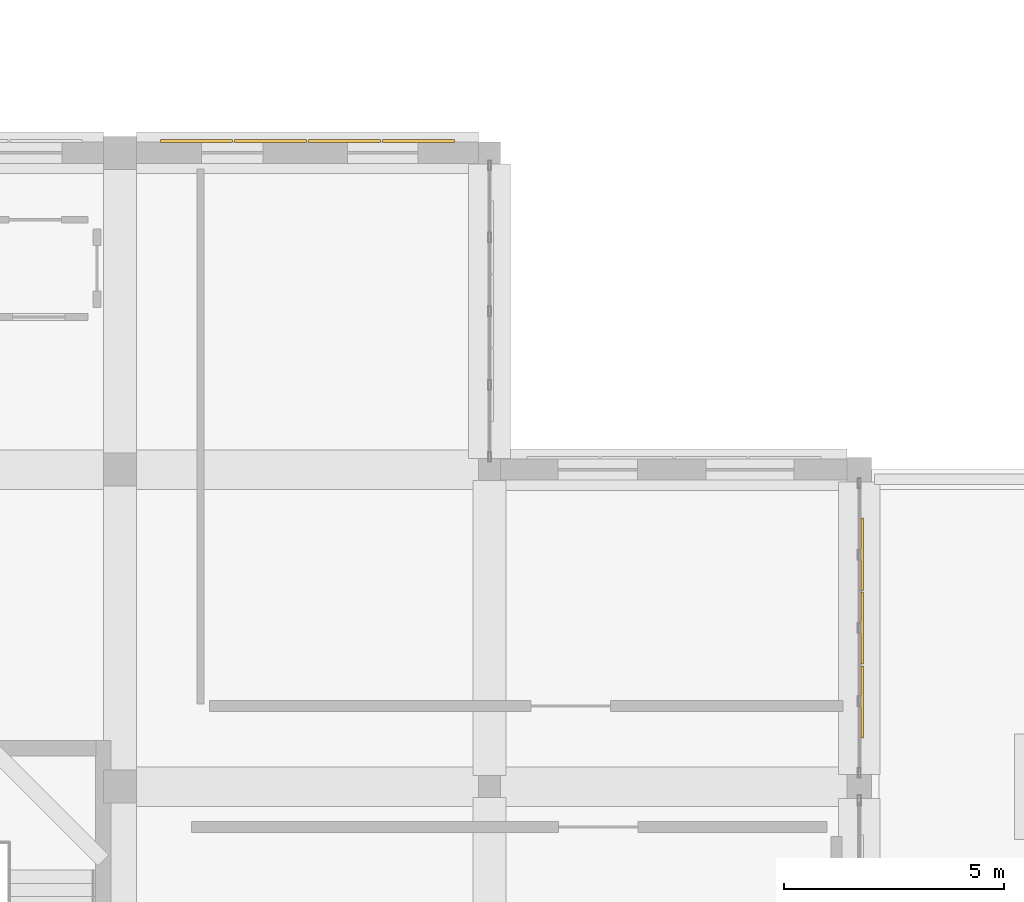
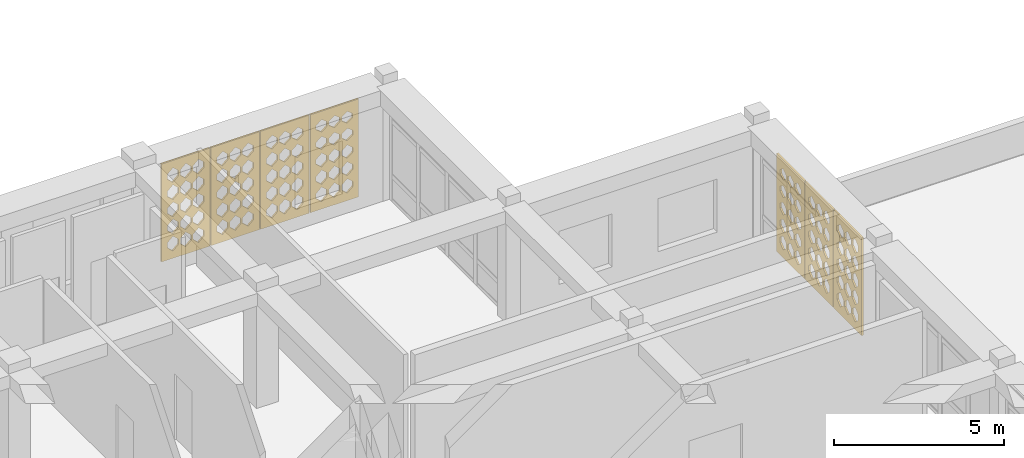
# One storey, part 109 of 111: 7 coverings.
"""IFC4 building model written with IfcOpenShell, lengths in metres."""

from ifc_helpers import new_model, si_unit, derived_unit, direction, frame, origin, place, context, subcontext, project, spatial, polyline, outline, extrude, material, layer, layer_set, type_object, element, save


model = new_model("IFC4")

# Units and contexts
model_context = context("Model", 3, precision=1e-05, world=origin(), true_north=direction((0.0, 1.0)))
body_context = subcontext(model_context, "Body", "Model", "MODEL_VIEW")
ifc_project = project(units=[si_unit("LENGTHUNIT", "METRE"), si_unit("AREAUNIT", "SQUARE_METRE"), si_unit("VOLUMEUNIT", "CUBIC_METRE"), si_unit("PLANEANGLEUNIT", "RADIAN"), si_unit("MASSUNIT", "GRAM", prefix="KILO"), derived_unit("THERMALTRANSMITTANCEUNIT", [(si_unit("POWERUNIT", "WATT"), 1), (si_unit("LENGTHUNIT", "METRE"), -2), (si_unit("THERMODYNAMICTEMPERATUREUNIT", "KELVIN"), -1)])], contexts=[model_context])

# Site, building, storey
site_placement = place(None, origin())
site = spatial("IfcSite", under=ifc_project, at=site_placement, CompositionType="ELEMENT")
building_placement = place(site_placement, origin())
building = spatial("IfcBuilding", under=site, at=building_placement, Name="Veybourne Emporium", CompositionType="ELEMENT")
storey_placement = place(building_placement, frame((0.0, 0.0, 9.89990234375)))
storey = spatial("IfcBuildingStorey", under=building, at=storey_placement, Name="L02", CompositionType="ELEMENT", Elevation=9.89990234375)

# Coverings
ifc_material = material(Name="Warm-White Perforated Aluminium Screen Alloy", Category="aluminium")
ifc_layer_1 = layer(ifc_material, 0.06005859375)
ifc_layer_set_1 = layer_set([ifc_layer_1], Name="Warm-White Perforated Aluminium Screen Alloy")
covering_type_1 = type_object("IfcCoveringType", Name="WaveScreen_SCR-01", PredefinedType="CLADDING", material=ifc_layer_set_1)
covering_1_placement = place(storey_placement, frame((139.50244140625, 29.09814453125, 1.815185546875), z_axis=(0.0, -1.0, 0.0), x_axis=(1.0, 0.0, 0.0)))
element("IfcCovering", 1, at=covering_1_placement, inside=storey, type_object=covering_type_1, Name="L02 wave-perforated aluminium screen SCR-01 (71.3)", PredefinedType="CLADDING", context=body_context, shape_type="SweptSolid", body=[
    extrude(outline(polyline([(-0.81982421875, -1.7548828125), (0.81982421875, -1.7548828125), (0.81982421875, 1.7548828125), (-0.81982421875, 1.7548828125), (-0.81982421875, -1.7548828125)]), holes=[polyline([(-0.433349609375, -0.964111328125), (-0.2470703125, -1.133056640625), (-0.2470703125, -1.322998046875), (-0.433349609375, -1.491943359375), (-0.61962890625, -1.322998046875), (-0.61962890625, -1.133056640625), (-0.433349609375, -0.964111328125)]), polyline([(-0.433349609375, -0.35009765625), (-0.2470703125, -0.51904296875), (-0.2470703125, -0.708984375), (-0.433349609375, -0.8779296875), (-0.61962890625, -0.708984375), (-0.61962890625, -0.51904296875), (-0.433349609375, -0.35009765625)]), polyline([(-0.433349609375, 0.262451171875), (-0.2470703125, 0.094482421875), (-0.2470703125, -0.094482421875), (-0.433349609375, -0.262451171875), (-0.61962890625, -0.094482421875), (-0.61962890625, 0.094482421875), (-0.433349609375, 0.262451171875)]), polyline([(-0.433349609375, 0.867919921875), (-0.2470703125, 0.705322265625), (-0.2470703125, 0.522705078125), (-0.433349609375, 0.360107421875), (-0.61962890625, 0.522705078125), (-0.61962890625, 0.705322265625), (-0.433349609375, 0.867919921875)]), polyline([(-0.433349609375, 1.4716796875), (-0.2470703125, 1.315673828125), (-0.2470703125, 1.140380859375), (-0.433349609375, 0.984375), (-0.61962890625, 1.140380859375), (-0.61962890625, 1.315673828125), (-0.433349609375, 1.4716796875)]), polyline([(0.0, -0.964111328125), (0.186279296875, -1.133056640625), (0.186279296875, -1.322998046875), (0.0, -1.491943359375), (-0.186279296875, -1.322998046875), (-0.186279296875, -1.133056640625), (0.0, -0.964111328125)]), polyline([(0.0, -0.35009765625), (0.186279296875, -0.51904296875), (0.186279296875, -0.708984375), (0.0, -0.8779296875), (-0.186279296875, -0.708984375), (-0.186279296875, -0.51904296875), (0.0, -0.35009765625)]), polyline([(0.0, 0.2587890625), (0.186279296875, 0.09326171875), (0.186279296875, -0.09326171875), (0.0, -0.2587890625), (-0.186279296875, -0.09326171875), (-0.186279296875, 0.09326171875), (0.0, 0.2587890625)]), polyline([(0.0, 0.863525390625), (0.186279296875, 0.703857421875), (0.186279296875, 0.524169921875), (0.0, 0.364501953125), (-0.186279296875, 0.524169921875), (-0.186279296875, 0.703857421875), (0.0, 0.863525390625)]), polyline([(0.0, 1.466552734375), (0.186279296875, 1.313720703125), (0.186279296875, 1.14208984375), (0.0, 0.989501953125), (-0.186279296875, 1.14208984375), (-0.186279296875, 1.313720703125), (0.0, 1.466552734375)]), polyline([(0.433349609375, -0.964111328125), (0.61962890625, -1.133056640625), (0.61962890625, -1.322998046875), (0.433349609375, -1.491943359375), (0.2470703125, -1.322998046875), (0.2470703125, -1.133056640625), (0.433349609375, -0.964111328125)]), polyline([(0.433349609375, -0.350830078125), (0.61962890625, -0.519287109375), (0.61962890625, -0.708740234375), (0.433349609375, -0.877197265625), (0.2470703125, -0.708740234375), (0.2470703125, -0.519287109375), (0.433349609375, -0.350830078125)]), polyline([(0.433349609375, 0.2548828125), (0.61962890625, 0.091796875), (0.61962890625, -0.091796875), (0.433349609375, -0.2548828125), (0.2470703125, -0.091796875), (0.2470703125, 0.091796875), (0.433349609375, 0.2548828125)]), polyline([(0.433349609375, 0.858642578125), (0.61962890625, 0.7021484375), (0.61962890625, 0.52587890625), (0.433349609375, 0.369384765625), (0.2470703125, 0.52587890625), (0.2470703125, 0.7021484375), (0.433349609375, 0.858642578125)]), polyline([(0.433349609375, 1.4609375), (0.61962890625, 1.31201171875), (0.61962890625, 1.14404296875), (0.433349609375, 0.9951171875), (0.2470703125, 1.14404296875), (0.2470703125, 1.31201171875), (0.433349609375, 1.4609375)])]), origin(), (0.0, 0.0, 1.0), 0.06005859375),
])
covering_2_placement = place(storey_placement, frame((151.29296875, 16.320068359375, 1.815185546875), z_axis=(-1.0, 0.0, 0.0), x_axis=(0.0, -1.0, 0.0)))
element("IfcCovering", 2, at=covering_2_placement, inside=storey, type_object=covering_type_1, Name="L02 wave-perforated aluminium screen SCR-01 (75C.3)", PredefinedType="CLADDING", context=body_context, shape_type="SweptSolid", body=[
    extrude(outline(polyline([(-0.81982421875, -1.7548828125), (0.81982421875, -1.7548828125), (0.81982421875, 1.7548828125), (-0.81982421875, 1.7548828125), (-0.81982421875, -1.7548828125)]), holes=[polyline([(-0.433349609375, -0.964111328125), (-0.2470703125, -1.133056640625), (-0.2470703125, -1.322998046875), (-0.433349609375, -1.491943359375), (-0.61962890625, -1.322998046875), (-0.61962890625, -1.133056640625), (-0.433349609375, -0.964111328125)]), polyline([(-0.433349609375, -0.35009765625), (-0.2470703125, -0.51904296875), (-0.2470703125, -0.708984375), (-0.433349609375, -0.8779296875), (-0.61962890625, -0.708984375), (-0.61962890625, -0.51904296875), (-0.433349609375, -0.35009765625)]), polyline([(-0.433349609375, 0.263427734375), (-0.2470703125, 0.0947265625), (-0.2470703125, -0.0947265625), (-0.433349609375, -0.263427734375), (-0.61962890625, -0.0947265625), (-0.61962890625, 0.0947265625), (-0.433349609375, 0.263427734375)]), polyline([(-0.433349609375, 0.869140625), (-0.2470703125, 0.705810546875), (-0.2470703125, 0.522216796875), (-0.433349609375, 0.35888671875), (-0.61962890625, 0.522216796875), (-0.61962890625, 0.705810546875), (-0.433349609375, 0.869140625)]), polyline([(-0.433349609375, 1.472900390625), (-0.2470703125, 1.316162109375), (-0.2470703125, 1.139892578125), (-0.433349609375, 0.98291015625), (-0.61962890625, 1.139892578125), (-0.61962890625, 1.316162109375), (-0.433349609375, 1.472900390625)]), polyline([(0.0, -0.964111328125), (0.186279296875, -1.133056640625), (0.186279296875, -1.322998046875), (0.0, -1.491943359375), (-0.186279296875, -1.322998046875), (-0.186279296875, -1.133056640625), (0.0, -0.964111328125)]), polyline([(0.0, -0.35009765625), (0.186279296875, -0.51904296875), (0.186279296875, -0.708984375), (0.0, -0.8779296875), (-0.186279296875, -0.708984375), (-0.186279296875, -0.51904296875), (0.0, -0.35009765625)]), polyline([(0.0, 0.263916015625), (0.186279296875, 0.094970703125), (0.186279296875, -0.094970703125), (0.0, -0.263916015625), (-0.186279296875, -0.094970703125), (-0.186279296875, 0.094970703125), (0.0, 0.263916015625)]), polyline([(0.0, 0.873046875), (0.186279296875, 0.707275390625), (0.186279296875, 0.520751953125), (0.0, 0.35498046875), (-0.186279296875, 0.520751953125), (-0.186279296875, 0.707275390625), (0.0, 0.873046875)]), polyline([(0.0, 1.477783203125), (0.186279296875, 1.31787109375), (0.186279296875, 1.13818359375), (0.0, 0.978271484375), (-0.186279296875, 1.13818359375), (-0.186279296875, 1.31787109375), (0.0, 1.477783203125)]), polyline([(0.433349609375, -0.964111328125), (0.61962890625, -1.133056640625), (0.61962890625, -1.322998046875), (0.433349609375, -1.491943359375), (0.2470703125, -1.322998046875), (0.2470703125, -1.133056640625), (0.433349609375, -0.964111328125)]), polyline([(0.433349609375, -0.35009765625), (0.61962890625, -0.51904296875), (0.61962890625, -0.708984375), (0.433349609375, -0.8779296875), (0.2470703125, -0.708984375), (0.2470703125, -0.51904296875), (0.433349609375, -0.35009765625)]), polyline([(0.433349609375, 0.263916015625), (0.61962890625, 0.094970703125), (0.61962890625, -0.094970703125), (0.433349609375, -0.263916015625), (0.2470703125, -0.094970703125), (0.2470703125, 0.094970703125), (0.433349609375, 0.263916015625)]), polyline([(0.433349609375, 0.876708984375), (0.61962890625, 0.70849609375), (0.61962890625, 0.519287109375), (0.433349609375, 0.351318359375), (0.2470703125, 0.519287109375), (0.2470703125, 0.70849609375), (0.433349609375, 0.876708984375)]), polyline([(0.433349609375, 1.482421875), (0.61962890625, 1.319580078125), (0.61962890625, 1.136474609375), (0.433349609375, 0.9736328125), (0.2470703125, 1.136474609375), (0.2470703125, 1.319580078125), (0.433349609375, 1.482421875)])]), origin(), (0.0, 0.0, 1.0), 0.06005859375),
])
ifc_layer_2 = layer(ifc_material, 0.06005859375)
ifc_layer_set_2 = layer_set([ifc_layer_2], Name="Warm-White Perforated Aluminium Screen Alloy")
covering_type_2 = type_object("IfcCoveringType", Name="WaveScreen_SCR-02", PredefinedType="CLADDING", material=ifc_layer_set_2)
covering_3_placement = place(storey_placement, frame((141.1826171875, 29.09814453125, 1.815185546875), z_axis=(0.0, -1.0, 0.0), x_axis=(1.0, 0.0, 0.0)))
element("IfcCovering", 3, at=covering_3_placement, inside=storey, type_object=covering_type_2, Name="L02 wave-perforated aluminium screen SCR-02 (71.4)", PredefinedType="CLADDING", context=body_context, shape_type="SweptSolid", body=[
    extrude(outline(polyline([(-0.81982421875, -1.7548828125), (0.81982421875, -1.7548828125), (0.81982421875, 1.7548828125), (-0.81982421875, 1.7548828125), (-0.81982421875, -1.7548828125)]), holes=[polyline([(-0.433349609375, -0.964111328125), (-0.2470703125, -1.133056640625), (-0.2470703125, -1.322998046875), (-0.433349609375, -1.491943359375), (-0.61962890625, -1.322998046875), (-0.61962890625, -1.133056640625), (-0.433349609375, -0.964111328125)]), polyline([(-0.433349609375, -0.35791015625), (-0.2470703125, -0.521728515625), (-0.2470703125, -0.706298828125), (-0.433349609375, -0.8701171875), (-0.61962890625, -0.706298828125), (-0.61962890625, -0.521728515625), (-0.433349609375, -0.35791015625)]), polyline([(-0.433349609375, 0.246337890625), (-0.2470703125, 0.088623046875), (-0.2470703125, -0.088623046875), (-0.433349609375, -0.246337890625), (-0.61962890625, -0.088623046875), (-0.61962890625, 0.088623046875), (-0.433349609375, 0.246337890625)]), polyline([(-0.433349609375, 0.848876953125), (-0.2470703125, 0.698486328125), (-0.2470703125, 0.529541015625), (-0.433349609375, 0.379150390625), (-0.61962890625, 0.529541015625), (-0.61962890625, 0.698486328125), (-0.433349609375, 0.848876953125)]), polyline([(-0.433349609375, 1.4501953125), (-0.2470703125, 1.307861328125), (-0.2470703125, 1.148193359375), (-0.433349609375, 1.005859375), (-0.61962890625, 1.148193359375), (-0.61962890625, 1.307861328125), (-0.433349609375, 1.4501953125)]), polyline([(0.0, -0.96728515625), (0.186279296875, -1.134033203125), (0.186279296875, -1.322021484375), (0.0, -1.48876953125), (-0.186279296875, -1.322021484375), (-0.186279296875, -1.134033203125), (0.0, -0.96728515625)]), polyline([(0.0, -0.362060546875), (0.186279296875, -0.523193359375), (0.186279296875, -0.70458984375), (0.0, -0.865966796875), (-0.186279296875, -0.70458984375), (-0.186279296875, -0.523193359375), (0.0, -0.362060546875)]), polyline([(0.0, 0.2412109375), (0.186279296875, 0.0869140625), (0.186279296875, -0.0869140625), (0.0, -0.2412109375), (-0.186279296875, -0.0869140625), (-0.186279296875, 0.0869140625), (0.0, 0.2412109375)]), polyline([(0.0, 0.843017578125), (0.186279296875, 0.696533203125), (0.186279296875, 0.531494140625), (0.0, 0.385009765625), (-0.186279296875, 0.531494140625), (-0.186279296875, 0.696533203125), (0.0, 0.843017578125)]), polyline([(0.0, 1.444091796875), (0.186279296875, 1.3056640625), (0.186279296875, 1.150390625), (0.0, 1.011962890625), (-0.186279296875, 1.150390625), (-0.186279296875, 1.3056640625), (0.0, 1.444091796875)]), polyline([(0.433349609375, -0.970947265625), (0.61962890625, -1.135498046875), (0.61962890625, -1.320556640625), (0.433349609375, -1.485107421875), (0.2470703125, -1.320556640625), (0.2470703125, -1.135498046875), (0.433349609375, -0.970947265625)]), polyline([(0.433349609375, -0.36669921875), (0.61962890625, -0.52490234375), (0.61962890625, -0.702880859375), (0.433349609375, -0.861328125), (0.2470703125, -0.702880859375), (0.2470703125, -0.52490234375), (0.433349609375, -0.36669921875)]), polyline([(0.433349609375, 0.23583984375), (0.61962890625, 0.0849609375), (0.61962890625, -0.0849609375), (0.433349609375, -0.23583984375), (0.2470703125, -0.0849609375), (0.2470703125, 0.0849609375), (0.433349609375, 0.23583984375)]), polyline([(0.433349609375, 0.83740234375), (0.61962890625, 0.6943359375), (0.61962890625, 0.53369140625), (0.433349609375, 0.390625), (0.2470703125, 0.53369140625), (0.2470703125, 0.6943359375), (0.433349609375, 0.83740234375)]), polyline([(0.433349609375, 1.437744140625), (0.614990234375, 1.303466796875), (0.614990234375, 1.152587890625), (0.433349609375, 1.018310546875), (0.251708984375, 1.152587890625), (0.251708984375, 1.303466796875), (0.433349609375, 1.437744140625)])]), origin(), (0.0, 0.0, 1.0), 0.06005859375),
])
ifc_layer_3 = layer(ifc_material, 0.06005859375)
ifc_layer_set_3 = layer_set([ifc_layer_3], Name="Warm-White Perforated Aluminium Screen Alloy")
covering_type_3 = type_object("IfcCoveringType", Name="WaveScreen_SCR-03", PredefinedType="CLADDING", material=ifc_layer_set_3)
covering_4_placement = place(storey_placement, frame((136.142578125, 29.09814453125, 1.815185546875), z_axis=(0.0, -1.0, 0.0), x_axis=(1.0, 0.0, 0.0)))
element("IfcCovering", 4, at=covering_4_placement, inside=storey, type_object=covering_type_3, Name="L02 wave-perforated aluminium screen SCR-03 (71.1)", PredefinedType="CLADDING", context=body_context, shape_type="SweptSolid", body=[
    extrude(outline(polyline([(-0.81982421875, -1.7548828125), (0.81982421875, -1.7548828125), (0.81982421875, 1.7548828125), (-0.81982421875, 1.7548828125), (-0.81982421875, -1.7548828125)]), holes=[polyline([(-0.433349609375, -0.964111328125), (-0.2470703125, -1.133056640625), (-0.2470703125, -1.322998046875), (-0.433349609375, -1.491943359375), (-0.61962890625, -1.322998046875), (-0.61962890625, -1.133056640625), (-0.433349609375, -0.964111328125)]), polyline([(-0.433349609375, -0.35009765625), (-0.2470703125, -0.51904296875), (-0.2470703125, -0.708984375), (-0.433349609375, -0.8779296875), (-0.61962890625, -0.708984375), (-0.61962890625, -0.51904296875), (-0.433349609375, -0.35009765625)]), polyline([(-0.433349609375, 0.263916015625), (-0.2470703125, 0.094970703125), (-0.2470703125, -0.094970703125), (-0.433349609375, -0.263916015625), (-0.61962890625, -0.094970703125), (-0.61962890625, 0.094970703125), (-0.433349609375, 0.263916015625)]), polyline([(-0.433349609375, 0.8779296875), (-0.2470703125, 0.708984375), (-0.2470703125, 0.51904296875), (-0.433349609375, 0.35009765625), (-0.61962890625, 0.51904296875), (-0.61962890625, 0.708984375), (-0.433349609375, 0.8779296875)]), polyline([(-0.433349609375, 1.491943359375), (-0.2470703125, 1.322998046875), (-0.2470703125, 1.133056640625), (-0.433349609375, 0.964111328125), (-0.61962890625, 1.133056640625), (-0.61962890625, 1.322998046875), (-0.433349609375, 1.491943359375)]), polyline([(0.0, -0.964111328125), (0.186279296875, -1.133056640625), (0.186279296875, -1.322998046875), (0.0, -1.491943359375), (-0.186279296875, -1.322998046875), (-0.186279296875, -1.133056640625), (0.0, -0.964111328125)]), polyline([(0.0, -0.35009765625), (0.186279296875, -0.51904296875), (0.186279296875, -0.708984375), (0.0, -0.8779296875), (-0.186279296875, -0.708984375), (-0.186279296875, -0.51904296875), (0.0, -0.35009765625)]), polyline([(0.0, 0.263916015625), (0.186279296875, 0.094970703125), (0.186279296875, -0.094970703125), (0.0, -0.263916015625), (-0.186279296875, -0.094970703125), (-0.186279296875, 0.094970703125), (0.0, 0.263916015625)]), polyline([(0.0, 0.8779296875), (0.186279296875, 0.708984375), (0.186279296875, 0.51904296875), (0.0, 0.35009765625), (-0.186279296875, 0.51904296875), (-0.186279296875, 0.708984375), (0.0, 0.8779296875)]), polyline([(0.0, 1.491943359375), (0.186279296875, 1.322998046875), (0.186279296875, 1.133056640625), (0.0, 0.964111328125), (-0.186279296875, 1.133056640625), (-0.186279296875, 1.322998046875), (0.0, 1.491943359375)]), polyline([(0.433349609375, -0.964111328125), (0.61962890625, -1.133056640625), (0.61962890625, -1.322998046875), (0.433349609375, -1.491943359375), (0.2470703125, -1.322998046875), (0.2470703125, -1.133056640625), (0.433349609375, -0.964111328125)]), polyline([(0.433349609375, -0.35009765625), (0.61962890625, -0.51904296875), (0.61962890625, -0.708984375), (0.433349609375, -0.8779296875), (0.2470703125, -0.708984375), (0.2470703125, -0.51904296875), (0.433349609375, -0.35009765625)]), polyline([(0.433349609375, 0.263916015625), (0.61962890625, 0.094970703125), (0.61962890625, -0.094970703125), (0.433349609375, -0.263916015625), (0.2470703125, -0.094970703125), (0.2470703125, 0.094970703125), (0.433349609375, 0.263916015625)]), polyline([(0.433349609375, 0.8779296875), (0.61962890625, 0.708984375), (0.61962890625, 0.51904296875), (0.433349609375, 0.35009765625), (0.2470703125, 0.51904296875), (0.2470703125, 0.708984375), (0.433349609375, 0.8779296875)]), polyline([(0.433349609375, 1.491943359375), (0.61962890625, 1.322998046875), (0.61962890625, 1.133056640625), (0.433349609375, 0.964111328125), (0.2470703125, 1.133056640625), (0.2470703125, 1.322998046875), (0.433349609375, 1.491943359375)])]), origin(), (0.0, 0.0, 1.0), 0.06005859375),
])
covering_5_placement = place(storey_placement, frame((151.29296875, 19.679931640625, 1.815185546875), z_axis=(-1.0, 0.0, 0.0), x_axis=(0.0, -1.0, 0.0)))
element("IfcCovering", 5, at=covering_5_placement, inside=storey, type_object=covering_type_3, Name="L02 wave-perforated aluminium screen SCR-03 (75C.1)", PredefinedType="CLADDING", context=body_context, shape_type="SweptSolid", body=[
    extrude(outline(polyline([(-0.81982421875, -1.7548828125), (0.81982421875, -1.7548828125), (0.81982421875, 1.7548828125), (-0.81982421875, 1.7548828125), (-0.81982421875, -1.7548828125)]), holes=[polyline([(-0.433349609375, -0.977783203125), (-0.2470703125, -1.137939453125), (-0.2470703125, -1.318115234375), (-0.433349609375, -1.47802734375), (-0.61962890625, -1.318115234375), (-0.61962890625, -1.137939453125), (-0.433349609375, -0.977783203125)]), polyline([(-0.433349609375, -0.374755859375), (-0.2470703125, -0.52783203125), (-0.2470703125, -0.7001953125), (-0.433349609375, -0.853271484375), (-0.61962890625, -0.7001953125), (-0.61962890625, -0.52783203125), (-0.433349609375, -0.374755859375)]), polyline([(-0.433349609375, 0.226806640625), (-0.2470703125, 0.081787109375), (-0.2470703125, -0.081787109375), (-0.433349609375, -0.226806640625), (-0.61962890625, -0.081787109375), (-0.61962890625, 0.081787109375), (-0.433349609375, 0.226806640625)]), polyline([(-0.433349609375, 0.827392578125), (-0.24853515625, 0.69091796875), (-0.24853515625, 0.537109375), (-0.433349609375, 0.400390625), (-0.617919921875, 0.537109375), (-0.617919921875, 0.69091796875), (-0.433349609375, 0.827392578125)]), polyline([(-0.433349609375, 1.427490234375), (-0.260009765625, 1.2998046875), (-0.260009765625, 1.15625), (-0.433349609375, 1.0283203125), (-0.606689453125, 1.15625), (-0.606689453125, 1.2998046875), (-0.433349609375, 1.427490234375)]), polyline([(0.0, -0.973388671875), (0.186279296875, -1.136474609375), (0.186279296875, -1.319580078125), (0.0, -1.482666015625), (-0.186279296875, -1.319580078125), (-0.186279296875, -1.136474609375), (0.0, -0.973388671875)]), polyline([(0.0, -0.36962890625), (0.186279296875, -0.52587890625), (0.186279296875, -0.701904296875), (0.0, -0.8583984375), (-0.186279296875, -0.701904296875), (-0.186279296875, -0.52587890625), (0.0, -0.36962890625)]), polyline([(0.0, 0.232666015625), (0.186279296875, 0.083740234375), (0.186279296875, -0.083740234375), (0.0, -0.232666015625), (-0.186279296875, -0.083740234375), (-0.186279296875, 0.083740234375), (0.0, 0.232666015625)]), polyline([(0.0, 0.833740234375), (0.186279296875, 0.693115234375), (0.186279296875, 0.534912109375), (0.0, 0.394287109375), (-0.186279296875, 0.534912109375), (-0.186279296875, 0.693115234375), (0.0, 0.833740234375)]), polyline([(0.0, 1.433837890625), (0.178466796875, 1.302001953125), (0.178466796875, 1.15380859375), (0.0, 1.022216796875), (-0.178466796875, 1.15380859375), (-0.178466796875, 1.302001953125), (0.0, 1.433837890625)]), polyline([(0.433349609375, -0.969482421875), (0.61962890625, -1.135009765625), (0.61962890625, -1.321044921875), (0.433349609375, -1.486572265625), (0.2470703125, -1.321044921875), (0.2470703125, -1.135009765625), (0.433349609375, -0.969482421875)]), polyline([(0.433349609375, -0.36474609375), (0.61962890625, -0.5244140625), (0.61962890625, -0.70361328125), (0.433349609375, -0.86328125), (0.2470703125, -0.70361328125), (0.2470703125, -0.5244140625), (0.433349609375, -0.36474609375)]), polyline([(0.433349609375, 0.238037109375), (0.61962890625, 0.085693359375), (0.61962890625, -0.085693359375), (0.433349609375, -0.238037109375), (0.2470703125, -0.085693359375), (0.2470703125, 0.085693359375), (0.433349609375, 0.238037109375)]), polyline([(0.433349609375, 0.839599609375), (0.61962890625, 0.6953125), (0.61962890625, 0.53271484375), (0.433349609375, 0.38818359375), (0.2470703125, 0.53271484375), (0.2470703125, 0.6953125), (0.433349609375, 0.839599609375)]), polyline([(0.433349609375, 1.440185546875), (0.616943359375, 1.304443359375), (0.616943359375, 1.151611328125), (0.433349609375, 1.015869140625), (0.249755859375, 1.151611328125), (0.249755859375, 1.304443359375), (0.433349609375, 1.440185546875)])]), origin(), (0.0, 0.0, 1.0), 0.06005859375),
])
ifc_layer_4 = layer(ifc_material, 0.06005859375)
ifc_layer_set_4 = layer_set([ifc_layer_4], Name="Warm-White Perforated Aluminium Screen Alloy")
covering_type_4 = type_object("IfcCoveringType", Name="WaveScreen_SCR-04", PredefinedType="CLADDING", material=ifc_layer_set_4)
covering_6_placement = place(storey_placement, frame((137.822509765625, 29.09814453125, 1.815185546875), z_axis=(0.0, -1.0, 0.0), x_axis=(1.0, 0.0, 0.0)))
element("IfcCovering", 6, at=covering_6_placement, inside=storey, type_object=covering_type_4, Name="L02 wave-perforated aluminium screen SCR-04 (71.2)", PredefinedType="CLADDING", context=body_context, shape_type="SweptSolid", body=[
    extrude(outline(polyline([(-0.81982421875, -1.7548828125), (0.81982421875, -1.7548828125), (0.81982421875, 1.7548828125), (-0.81982421875, 1.7548828125), (-0.81982421875, -1.7548828125)]), holes=[polyline([(-0.433349609375, -0.964111328125), (-0.2470703125, -1.133056640625), (-0.2470703125, -1.322998046875), (-0.433349609375, -1.491943359375), (-0.61962890625, -1.322998046875), (-0.61962890625, -1.133056640625), (-0.433349609375, -0.964111328125)]), polyline([(-0.433349609375, -0.35009765625), (-0.2470703125, -0.51904296875), (-0.2470703125, -0.708984375), (-0.433349609375, -0.8779296875), (-0.61962890625, -0.708984375), (-0.61962890625, -0.51904296875), (-0.433349609375, -0.35009765625)]), polyline([(-0.433349609375, 0.263916015625), (-0.2470703125, 0.094970703125), (-0.2470703125, -0.094970703125), (-0.433349609375, -0.263916015625), (-0.61962890625, -0.094970703125), (-0.61962890625, 0.094970703125), (-0.433349609375, 0.263916015625)]), polyline([(-0.433349609375, 0.8779296875), (-0.2470703125, 0.708984375), (-0.2470703125, 0.51904296875), (-0.433349609375, 0.35009765625), (-0.61962890625, 0.51904296875), (-0.61962890625, 0.708984375), (-0.433349609375, 0.8779296875)]), polyline([(-0.433349609375, 1.488525390625), (-0.2470703125, 1.32177734375), (-0.2470703125, 1.13427734375), (-0.433349609375, 0.96728515625), (-0.61962890625, 1.13427734375), (-0.61962890625, 1.32177734375), (-0.433349609375, 1.488525390625)]), polyline([(0.0, -0.964111328125), (0.186279296875, -1.133056640625), (0.186279296875, -1.322998046875), (0.0, -1.491943359375), (-0.186279296875, -1.322998046875), (-0.186279296875, -1.133056640625), (0.0, -0.964111328125)]), polyline([(0.0, -0.35009765625), (0.186279296875, -0.51904296875), (0.186279296875, -0.708984375), (0.0, -0.8779296875), (-0.186279296875, -0.708984375), (-0.186279296875, -0.51904296875), (0.0, -0.35009765625)]), polyline([(0.0, 0.263916015625), (0.186279296875, 0.094970703125), (0.186279296875, -0.094970703125), (0.0, -0.263916015625), (-0.186279296875, -0.094970703125), (-0.186279296875, 0.094970703125), (0.0, 0.263916015625)]), polyline([(0.0, 0.8779296875), (0.186279296875, 0.708984375), (0.186279296875, 0.51904296875), (0.0, 0.35009765625), (-0.186279296875, 0.51904296875), (-0.186279296875, 0.708984375), (0.0, 0.8779296875)]), polyline([(0.0, 1.48486328125), (0.186279296875, 1.3203125), (0.186279296875, 1.135498046875), (0.0, 0.97119140625), (-0.186279296875, 1.135498046875), (-0.186279296875, 1.3203125), (0.0, 1.48486328125)]), polyline([(0.433349609375, -0.964111328125), (0.61962890625, -1.133056640625), (0.61962890625, -1.322998046875), (0.433349609375, -1.491943359375), (0.2470703125, -1.322998046875), (0.2470703125, -1.133056640625), (0.433349609375, -0.964111328125)]), polyline([(0.433349609375, -0.35009765625), (0.61962890625, -0.51904296875), (0.61962890625, -0.708984375), (0.433349609375, -0.8779296875), (0.2470703125, -0.708984375), (0.2470703125, -0.51904296875), (0.433349609375, -0.35009765625)]), polyline([(0.433349609375, 0.263916015625), (0.61962890625, 0.094970703125), (0.61962890625, -0.094970703125), (0.433349609375, -0.263916015625), (0.2470703125, -0.094970703125), (0.2470703125, 0.094970703125), (0.433349609375, 0.263916015625)]), polyline([(0.433349609375, 0.875244140625), (0.61962890625, 0.7080078125), (0.61962890625, 0.52001953125), (0.433349609375, 0.352783203125), (0.2470703125, 0.52001953125), (0.2470703125, 0.7080078125), (0.433349609375, 0.875244140625)]), polyline([(0.433349609375, 1.48046875), (0.61962890625, 1.31884765625), (0.61962890625, 1.13720703125), (0.433349609375, 0.9755859375), (0.2470703125, 1.13720703125), (0.2470703125, 1.31884765625), (0.433349609375, 1.48046875)])]), origin(), (0.0, 0.0, 1.0), 0.06005859375),
])
covering_7_placement = place(storey_placement, frame((151.29296875, 18.0, 1.815185546875), z_axis=(-1.0, 0.0, 0.0), x_axis=(0.0, -1.0, 0.0)))
element("IfcCovering", 7, at=covering_7_placement, inside=storey, type_object=covering_type_4, Name="L02 wave-perforated aluminium screen SCR-04 (75C.2)", PredefinedType="CLADDING", context=body_context, shape_type="SweptSolid", body=[
    extrude(outline(polyline([(-0.81982421875, -1.7548828125), (0.81982421875, -1.7548828125), (0.81982421875, 1.7548828125), (-0.81982421875, 1.7548828125), (-0.81982421875, -1.7548828125)]), holes=[polyline([(-0.433349609375, -0.964111328125), (-0.2470703125, -1.133056640625), (-0.2470703125, -1.322998046875), (-0.433349609375, -1.491943359375), (-0.61962890625, -1.322998046875), (-0.61962890625, -1.133056640625), (-0.433349609375, -0.964111328125)]), polyline([(-0.433349609375, -0.356689453125), (-0.2470703125, -0.521484375), (-0.2470703125, -0.70654296875), (-0.433349609375, -0.871337890625), (-0.61962890625, -0.70654296875), (-0.61962890625, -0.521484375), (-0.433349609375, -0.356689453125)]), polyline([(-0.433349609375, 0.24755859375), (-0.2470703125, 0.089111328125), (-0.2470703125, -0.089111328125), (-0.433349609375, -0.24755859375), (-0.61962890625, -0.089111328125), (-0.61962890625, 0.089111328125), (-0.433349609375, 0.24755859375)]), polyline([(-0.433349609375, 0.850341796875), (-0.2470703125, 0.69921875), (-0.2470703125, 0.52880859375), (-0.433349609375, 0.377685546875), (-0.61962890625, 0.52880859375), (-0.61962890625, 0.69921875), (-0.433349609375, 0.850341796875)]), polyline([(-0.433349609375, 1.45166015625), (-0.2470703125, 1.30859375), (-0.2470703125, 1.1474609375), (-0.433349609375, 1.00439453125), (-0.61962890625, 1.1474609375), (-0.61962890625, 1.30859375), (-0.433349609375, 1.45166015625)]), polyline([(0.0, -0.964111328125), (0.186279296875, -1.133056640625), (0.186279296875, -1.322998046875), (0.0, -1.491943359375), (-0.186279296875, -1.322998046875), (-0.186279296875, -1.133056640625), (0.0, -0.964111328125)]), polyline([(0.0, -0.352783203125), (0.186279296875, -0.52001953125), (0.186279296875, -0.7080078125), (0.0, -0.875), (-0.186279296875, -0.7080078125), (-0.186279296875, -0.52001953125), (0.0, -0.352783203125)]), polyline([(0.0, 0.252197265625), (0.186279296875, 0.0908203125), (0.186279296875, -0.0908203125), (0.0, -0.252197265625), (-0.186279296875, -0.0908203125), (-0.186279296875, 0.0908203125), (0.0, 0.252197265625)]), polyline([(0.0, 0.855712890625), (0.186279296875, 0.700927734375), (0.186279296875, 0.527099609375), (0.0, 0.372314453125), (-0.186279296875, 0.527099609375), (-0.186279296875, 0.700927734375), (0.0, 0.855712890625)]), polyline([(0.0, 1.45751953125), (0.186279296875, 1.310546875), (0.186279296875, 1.1455078125), (0.0, 0.998291015625), (-0.186279296875, 1.1455078125), (-0.186279296875, 1.310546875), (0.0, 1.45751953125)]), polyline([(0.433349609375, -0.964111328125), (0.61962890625, -1.133056640625), (0.61962890625, -1.322998046875), (0.433349609375, -1.491943359375), (0.2470703125, -1.322998046875), (0.2470703125, -1.133056640625), (0.433349609375, -0.964111328125)]), polyline([(0.433349609375, -0.35009765625), (0.61962890625, -0.51904296875), (0.61962890625, -0.708984375), (0.433349609375, -0.8779296875), (0.2470703125, -0.708984375), (0.2470703125, -0.51904296875), (0.433349609375, -0.35009765625)]), polyline([(0.433349609375, 0.256591796875), (0.61962890625, 0.09228515625), (0.61962890625, -0.09228515625), (0.433349609375, -0.256591796875), (0.2470703125, -0.09228515625), (0.2470703125, 0.09228515625), (0.433349609375, 0.256591796875)]), polyline([(0.433349609375, 0.860595703125), (0.61962890625, 0.702880859375), (0.61962890625, 0.525146484375), (0.433349609375, 0.3671875), (0.2470703125, 0.525146484375), (0.2470703125, 0.702880859375), (0.433349609375, 0.860595703125)]), polyline([(0.433349609375, 1.463134765625), (0.61962890625, 1.312744140625), (0.61962890625, 1.143310546875), (0.433349609375, 0.992919921875), (0.2470703125, 1.143310546875), (0.2470703125, 1.312744140625), (0.433349609375, 1.463134765625)])]), origin(), (0.0, 0.0, 1.0), 0.06005859375),
])

save(model, "model.ifc")
